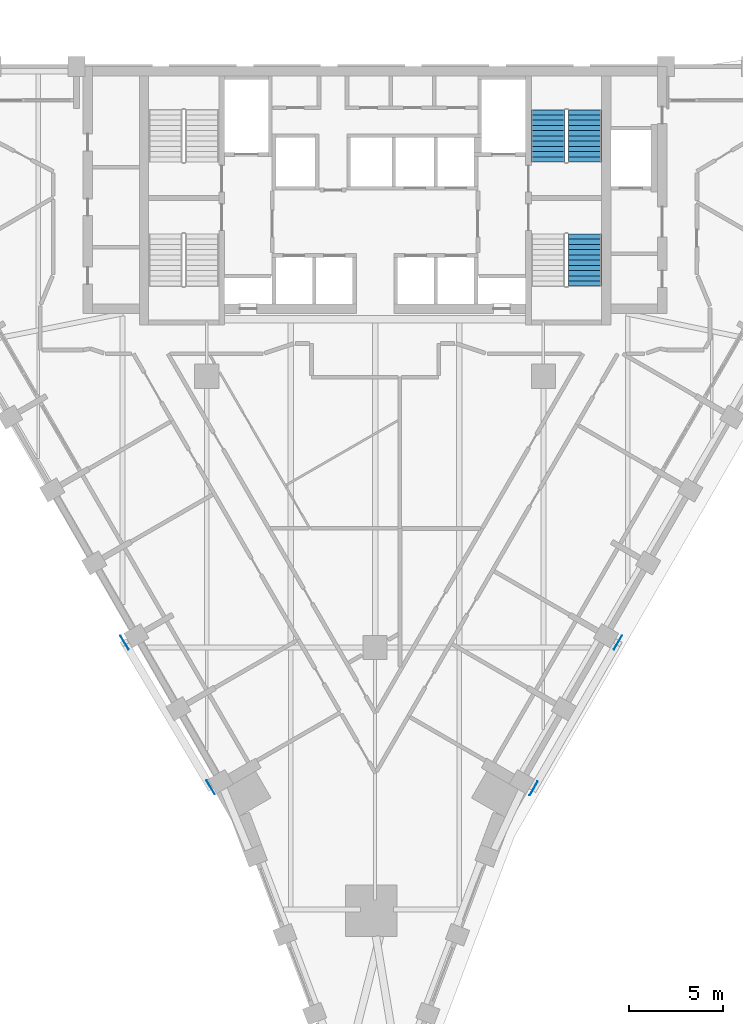
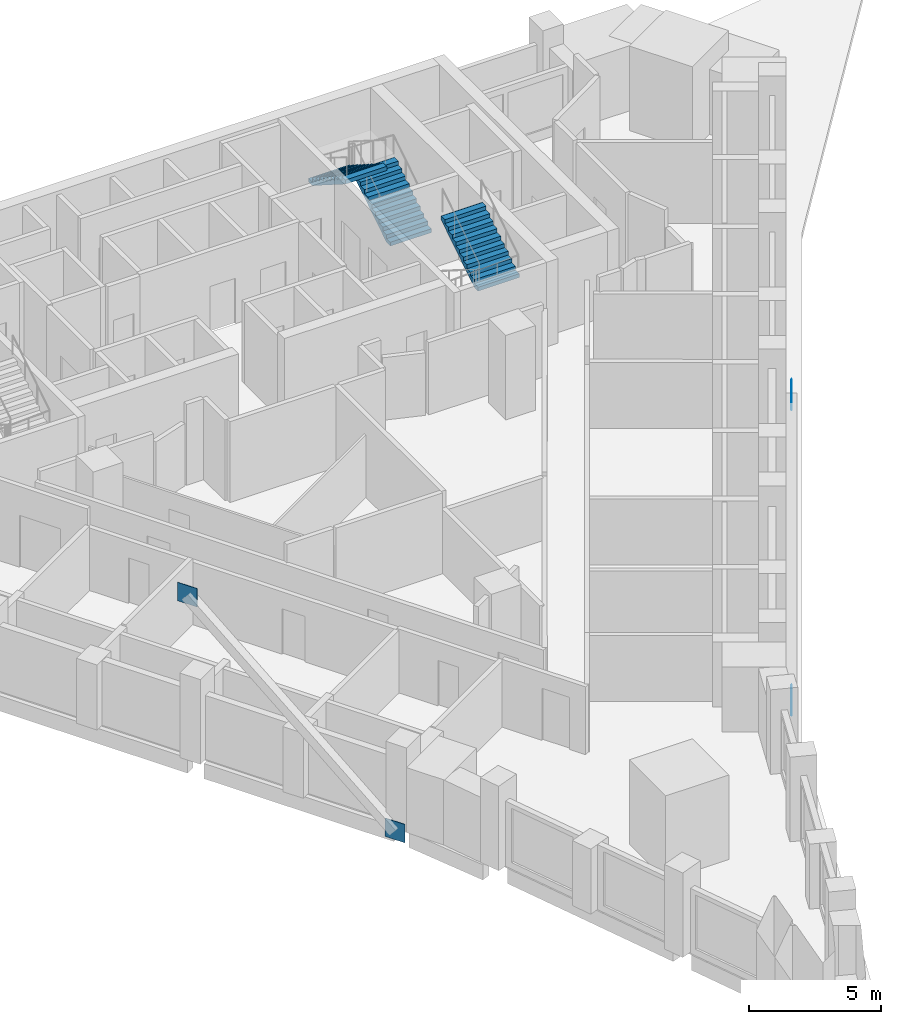
# One storey, part 9 of 10: 4 discrete accessories, 3 stair flights, 2 elements without a shape of their own.
"""IFC4 building model written with IfcOpenShell, lengths in metres."""

import ifcopenshell
import ifcopenshell.guid

model = None  # the IFC model being written
_history = None  # IfcOwnerHistory: only IFC2X3 demands one
_inside = {}  # id of a spatial element -> (the spatial element, [elements in it])
_under = {}  # id of a project, library or spatial element -> (it, [spatial elements below it])
_declared = {}  # id of a project -> (the project, [libraries it declares])
_typed = {}  # id of a type object -> (the type object, [elements of that type])
_made_of = {}  # id of a material, layer set ... -> (it, [elements and type objects made of it])


def new_model(schema):
    """Start an empty IFC model of exactly this schema.

    Asked for "IFC4X3", IfcOpenShell would pick the latest addendum, in which some entities
    have other attributes; the version numbers below select the first issue.
    IFC2X3 requires an IfcOwnerHistory on every rooted entity: one is made here for all.
    """
    global model, _history
    if schema == "IFC4X3":
        model = ifcopenshell.file(schema_version=(4, 3, 0, 0))
    else:
        model = ifcopenshell.file(schema=schema)
    _inside.clear()
    _under.clear()
    _declared.clear()
    _typed.clear()
    _made_of.clear()
    _history = None
    if model.schema == "IFC2X3":
        org = make("IfcOrganization", Name="unknown")
        user = make(
            "IfcPersonAndOrganization",
            ThePerson=make("IfcPerson", FamilyName="unknown"),
            TheOrganization=org,
        )
        app = make(
            "IfcApplication",
            ApplicationDeveloper=org,
            Version="unknown",
            ApplicationFullName="unknown",
            ApplicationIdentifier="unknown",
        )
        _history = make(
            "IfcOwnerHistory",
            OwningUser=user,
            OwningApplication=app,
            ChangeAction="ADDED",
            CreationDate=0,
        )
    return model


def make(cls, **values):
    """One entity of the class cls with the attributes given. An attribute that is None is left unset."""
    return model.create_entity(
        cls, **{name: value for name, value in values.items() if value is not None}
    )


def rooted(cls, **values):
    """An entity with a GlobalId (a new one), such as an element, a storey or a relation."""
    return make(cls, GlobalId=ifcopenshell.guid.new(), OwnerHistory=_history, **values)


def si_unit(unit_type, name, prefix=None):
    """IfcSIUnit, for example si_unit("LENGTHUNIT", "METRE", prefix="MILLI")."""
    return make("IfcSIUnit", UnitType=unit_type, Prefix=prefix, Name=name)


def assignment(units):
    """IfcUnitAssignment: the units of a project."""
    return None if units is None else make("IfcUnitAssignment", Units=units)


def point(xyz):
    """IfcCartesianPoint."""
    return None if xyz is None else make("IfcCartesianPoint", Coordinates=xyz)


def direction(xyz):
    """IfcDirection."""
    return None if xyz is None else make("IfcDirection", DirectionRatios=xyz)


def frame(location, z_axis=None, x_axis=None):
    """IfcAxis2Placement3D, a coordinate frame: its origin and axes. An axis left out is left unset."""
    return make(
        "IfcAxis2Placement3D",
        Location=point(location),
        Axis=direction(z_axis),
        RefDirection=direction(x_axis),
    )


def frame_2d(location, x_axis=None):
    """IfcAxis2Placement2D, a coordinate frame in the plane: its origin and x axis."""
    return make(
        "IfcAxis2Placement2D", Location=point(location), RefDirection=direction(x_axis)
    )


def origin():
    """The frame at (0, 0, 0) with its axes left unset."""
    return frame((0.0, 0.0, 0.0))


def origin_2d():
    """The frame at (0, 0) in the plane with its x axis left unset."""
    return frame_2d((0.0, 0.0))


def place(relative_to, where):
    """IfcLocalPlacement: puts the frame where relative to a parent placement (None: the world)."""
    return make(
        "IfcLocalPlacement", PlacementRelTo=relative_to, RelativePlacement=where
    )


def context(
    kind, dimensions, precision=None, world=None, true_north=None, identifier=None
):
    """IfcGeometricRepresentationContext, for example the 3D "Model" context."""
    return make(
        "IfcGeometricRepresentationContext",
        ContextIdentifier=identifier,
        ContextType=kind,
        CoordinateSpaceDimension=dimensions,
        Precision=precision,
        WorldCoordinateSystem=world,
        TrueNorth=true_north,
    )


def subcontext(parent, identifier, kind, view, scale=None):
    """IfcGeometricRepresentationSubContext, for example "Body" below "Model"."""
    return make(
        "IfcGeometricRepresentationSubContext",
        ContextIdentifier=identifier,
        ContextType=kind,
        ParentContext=parent,
        TargetScale=scale,
        TargetView=view,
    )


def project(units=None, contexts=None):
    """IfcProject with its units and contexts."""
    return rooted(
        "IfcProject",
        Name="project",
        RepresentationContexts=contexts,
        UnitsInContext=assignment(units),
    )


def spatial(cls, under=None, at=None, **own):
    """A site, building, storey or space (cls), placed at a placement, below another one or the project."""
    s = rooted(cls, ObjectPlacement=at, **own)
    if under is not None:
        _under.setdefault(under.id(), (under, []))[1].append(s)
    return s


def profile(cls, at=None, kind="AREA", **sizes):
    """A parametric profile (cls). Its sizes go by their IFC names, for example OverallWidth=200.0."""
    return make(cls, ProfileType=kind, Position=at, **sizes)


def rectangle(**sizes):
    """IfcRectangleProfileDef."""
    return profile("IfcRectangleProfileDef", **sizes)


def extrude(swept, where, along, depth):
    """IfcExtrudedAreaSolid: the profile swept, set in the frame where, extruded along a direction by depth."""
    return make(
        "IfcExtrudedAreaSolid",
        SweptArea=swept,
        Position=where,
        ExtrudedDirection=direction(along),
        Depth=depth,
    )


def faces_of(points, faces, orient=None, outer=None):
    """IfcFace entities. A face is a list of loops; a loop is a list of indices into points, from 0.

    orient and outer hold one flag for each loop. By default every Orientation is true, the
    first loop of a face is its IfcFaceOuterBound and the others are IfcFaceBound.
    """
    made = []
    for i, loops in enumerate(faces):
        bounds = []
        for j, loop in enumerate(loops):
            is_outer = j == 0 if outer is None else outer[i][j]
            bounds.append(
                make(
                    "IfcFaceOuterBound" if is_outer else "IfcFaceBound",
                    Bound=make("IfcPolyLoop", Polygon=[points[k] for k in loop]),
                    Orientation=True if orient is None else orient[i][j],
                )
            )
        made.append(make("IfcFace", Bounds=bounds))
    return made


def faceted_brep(points, faces, orient=None, outer=None, voids=None):
    """IfcFacetedBrep: a solid bounded by flat faces; with voids (closed shells), ...WithVoids."""
    shared = [point(p) for p in points]
    hull = make("IfcClosedShell", CfsFaces=faces_of(shared, faces, orient, outer))
    if voids is None:
        return make("IfcFacetedBrep", Outer=hull)
    return make(
        "IfcFacetedBrepWithVoids",
        Outer=hull,
        Voids=[
            make(cls, CfsFaces=faces_of(shared, fs, o, b)) for cls, fs, o, b in voids
        ],
    )


def shape(context_of_items, identifier, shape_type, items):
    """IfcShapeRepresentation: the items that make up one representation, for example the "Body"."""
    return make(
        "IfcShapeRepresentation",
        ContextOfItems=context_of_items,
        RepresentationIdentifier=identifier,
        RepresentationType=shape_type,
        Items=items,
    )


def source(mapping_origin, context_of_items, identifier, shape_type, items):
    """IfcRepresentationMap: a shape defined once, which mapped items show again and again."""
    return make(
        "IfcRepresentationMap",
        MappingOrigin=mapping_origin,
        MappedRepresentation=shape(context_of_items, identifier, shape_type, items),
    )


def transform(
    local_origin,
    x_axis=None,
    y_axis=None,
    z_axis=None,
    scale=None,
    scale2=None,
    scale3=None,
    uniform=True,
):
    """IfcCartesianTransformationOperator3D, or its non-uniform kind. x_axis, y_axis, z_axis: its Axis1, 2, 3."""
    if uniform:
        return make(
            "IfcCartesianTransformationOperator3D",
            Axis1=direction(x_axis),
            Axis2=direction(y_axis),
            LocalOrigin=point(local_origin),
            Scale=scale,
            Axis3=direction(z_axis),
        )
    return make(
        "IfcCartesianTransformationOperator3DnonUniform",
        Axis1=direction(x_axis),
        Axis2=direction(y_axis),
        LocalOrigin=point(local_origin),
        Scale=scale,
        Axis3=direction(z_axis),
        Scale2=scale2,
        Scale3=scale3,
    )


def mapped(mapping_source, mapping_target):
    """IfcMappedItem: shows the shape of a source again, moved by a transform."""
    return make(
        "IfcMappedItem", MappingSource=mapping_source, MappingTarget=mapping_target
    )


def material(Name=None, Category=None):
    """IfcMaterial."""
    return make("IfcMaterial", Name=Name, Category=Category)


def made_of(thing, what):
    """Note that an element or type object is made of a material, layer set ...; save() writes the relation."""
    if what is not None:
        _made_of.setdefault(what.id(), (what, []))[1].append(thing)
    return thing


def type_object(cls, material=None, **own):
    """A type object (cls), such as IfcWallType, which elements share."""
    return made_of(rooted(cls, **own), material)


def element(
    cls,
    number,
    at=None,
    inside=None,
    cuts=None,
    type_object=None,
    material=None,
    context=None,
    identifier="Body",
    shape_type=None,
    held_by="IfcProductDefinitionShape",
    body=None,
    shapes=None,
    **own,
):
    """One element of the class cls, such as IfcWall. Its Tag is "e" and its number.

    at: its placement. inside: the storey or other place that contains it. cuts: it is an
    opening in that element (IfcRelVoidsElement). A single representation is given by context,
    identifier, shape_type and body (its items); several are given by shapes. held_by: the class
    of the entity that holds the representations. save() writes the other relations.
    """
    e = rooted(cls, Tag="e%d" % number, ObjectPlacement=at, **own)
    if body is not None:
        shapes = [shape(context, identifier, shape_type, body)]
    if shapes is not None:
        e.Representation = make(held_by, Representations=shapes)
    if inside is not None:
        _inside.setdefault(inside.id(), (inside, []))[1].append(e)
    if cuts is not None:
        rooted(
            "IfcRelVoidsElement", RelatingBuildingElement=cuts, RelatedOpeningElement=e
        )
    if type_object is not None:
        _typed.setdefault(type_object.id(), (type_object, []))[1].append(e)
    return made_of(e, material)


def aggregate(whole, parts):
    """IfcRelAggregates: a whole, such as a stair, and the parts it consists of."""
    return rooted("IfcRelAggregates", RelatingObject=whole, RelatedObjects=parts)


def save(model, path):
    """Write the relations noted so far, then the file.

    IfcRelAggregates (storeys below a building ...), IfcRelContainedInSpatialStructure (elements
    in a storey), IfcRelDefinesByType, IfcRelAssociatesMaterial and IfcRelDeclares: one each for
    every whole, place, type object, material and project.
    """
    for whole, parts in _under.values():
        aggregate(whole, parts)
    for where, things in _inside.values():
        rooted(
            "IfcRelContainedInSpatialStructure",
            RelatedElements=things,
            RelatingStructure=where,
        )
    for kind, things in _typed.values():
        rooted("IfcRelDefinesByType", RelatedObjects=things, RelatingType=kind)
    for what, things in _made_of.values():
        rooted("IfcRelAssociatesMaterial", RelatedObjects=things, RelatingMaterial=what)
    for by, libraries in _declared.values():
        rooted("IfcRelDeclares", RelatingContext=by, RelatedDefinitions=libraries)
    model.write(path)


model = new_model("IFC4")

# Units and contexts
model_context = context("Model", 3, precision=1e-05, world=origin(), true_north=direction((0.0, 1.0)))
body_context = subcontext(model_context, "Body", "Model", "MODEL_VIEW")
ifc_project = project(units=[si_unit("LENGTHUNIT", "METRE"), si_unit("AREAUNIT", "SQUARE_METRE"), si_unit("VOLUMEUNIT", "CUBIC_METRE"), si_unit("PLANEANGLEUNIT", "RADIAN"), si_unit("MASSUNIT", "GRAM", prefix="KILO")], contexts=[model_context])

# Site, building, storey
site_placement = place(None, origin())
site = spatial("IfcSite", under=ifc_project, at=site_placement, CompositionType="ELEMENT")
building_placement = place(site_placement, origin())
building = spatial("IfcBuilding", under=site, at=building_placement, Name="Calabash Gate Tower", CompositionType="ELEMENT")
storey_placement = place(building_placement, frame((0.0, 0.0, 144.60009765625)))
storey = spatial("IfcBuildingStorey", under=building, at=storey_placement, Name="L33", CompositionType="ELEMENT", Elevation=144.60009765625)

# Stair, stair flights
ifc_material_1 = material(Name="Concrete C40/50", Category="concrete")
stair_type = type_object("IfcStairType", Name="Exit stair 22 risers of 177.3 mm", PredefinedType="HALF_TURN_STAIR", material=ifc_material_1)
stair_1_placement = place(storey_placement, origin())
stair_1 = element("IfcStair", 1, at=stair_1_placement, inside=storey, type_object=stair_type, Name="L33 Exit stair ST3", PredefinedType="HALF_TURN_STAIR")
ifc_material_2 = material(Name="Concrete C40/50", Category="concrete")
stair_flight_type = type_object("IfcStairFlightType", Name="Exit stair flight SFL", PredefinedType="STRAIGHT", material=ifc_material_2)
shared_shape = source(origin(), body_context, "Body", "Brep", [
    faceted_brep([(-0.0009765625, -0.89990234375, 0.0), (0.279541015625, -0.89990234375, 0.0), (2.791015625, -0.89990234375, 1.59521484375), (-0.0009765625, 0.89990234375, 0.0), (2.791015625, 0.89990234375, 1.59521484375), (0.279541015625, 0.89990234375, 0.0), (2.791015625, -0.89990234375, 1.78466796875), (2.7900390625, -0.89990234375, 1.78466796875), (2.7900390625, 0.89990234375, 1.78466796875), (2.791015625, 0.89990234375, 1.78466796875), (2.7900390625, -0.89990234375, 1.772705078125), (2.7900390625, 0.89990234375, 1.772705078125), (2.510986328125, -0.89990234375, 1.772705078125), (2.510986328125, 0.89990234375, 1.772705078125), (2.510986328125, -0.89990234375, 1.595458984375), (2.510986328125, 0.89990234375, 1.595458984375), (2.23193359375, -0.89990234375, 1.595458984375), (2.23193359375, 0.89990234375, 1.595458984375), (2.23193359375, -0.89990234375, 1.418212890625), (2.23193359375, 0.89990234375, 1.418212890625), (1.952880859375, -0.89990234375, 1.418212890625), (1.952880859375, -0.89990234375, 1.240966796875), (1.952880859375, 0.89990234375, 1.240966796875), (1.952880859375, 0.89990234375, 1.418212890625), (1.674072265625, -0.89990234375, 1.240966796875), (1.674072265625, -0.89990234375, 1.063720703125), (1.674072265625, 0.89990234375, 1.063720703125), (1.674072265625, 0.89990234375, 1.240966796875), (1.39501953125, -0.89990234375, 1.063720703125), (1.39501953125, -0.89990234375, 0.886474609375), (1.39501953125, 0.89990234375, 0.886474609375), (1.39501953125, 0.89990234375, 1.063720703125), (1.115966796875, -0.89990234375, 0.886474609375), (1.115966796875, -0.89990234375, 0.708984375), (1.115966796875, 0.89990234375, 0.708984375), (1.115966796875, 0.89990234375, 0.886474609375), (0.8369140625, -0.89990234375, 0.708984375), (0.8369140625, -0.89990234375, 0.53173828125), (0.8369140625, 0.89990234375, 0.53173828125), (0.8369140625, 0.89990234375, 0.708984375), (0.55810546875, -0.89990234375, 0.53173828125), (0.55810546875, -0.89990234375, 0.3544921875), (0.55810546875, 0.89990234375, 0.3544921875), (0.55810546875, 0.89990234375, 0.53173828125), (0.279052734375, -0.89990234375, 0.3544921875), (0.279052734375, -0.89990234375, 0.17724609375), (0.279052734375, 0.89990234375, 0.17724609375), (0.279052734375, 0.89990234375, 0.3544921875), (-0.0009765625, -0.89990234375, 0.17724609375), (-0.0009765625, 0.89990234375, 0.17724609375), (0.279541015625, -0.360107421875, 0.0), (2.791015625, -0.360107421875, 1.59521484375), (0.279541015625, 0.0, 0.0), (2.791015625, 0.0, 1.59521484375), (0.279541015625, 0.360107421875, 0.0), (2.791015625, 0.360107421875, 1.59521484375), (2.791015625, -0.360107421875, 1.78466796875), (2.791015625, 0.0, 1.78466796875), (2.791015625, 0.360107421875, 1.78466796875), (2.7900390625, -0.360107421875, 1.78466796875), (2.7900390625, 0.0, 1.78466796875), (2.7900390625, 0.360107421875, 1.78466796875), (2.7900390625, -0.360107421875, 1.772705078125), (2.7900390625, 0.0, 1.772705078125), (2.7900390625, 0.360107421875, 1.772705078125), (2.510986328125, -0.360107421875, 1.772705078125), (2.510986328125, 0.0, 1.772705078125), (2.510986328125, 0.360107421875, 1.772705078125), (2.510986328125, -0.360107421875, 1.595458984375), (2.510986328125, 0.0, 1.595458984375), (2.510986328125, 0.360107421875, 1.595458984375), (2.23193359375, -0.360107421875, 1.595458984375), (2.23193359375, 0.0, 1.595458984375), (2.23193359375, 0.360107421875, 1.595458984375), (2.23193359375, -0.360107421875, 1.418212890625), (2.23193359375, 0.0, 1.418212890625), (2.23193359375, 0.360107421875, 1.418212890625), (1.952880859375, -0.360107421875, 1.418212890625), (1.952880859375, 0.0, 1.418212890625), (1.952880859375, 0.360107421875, 1.418212890625), (1.952880859375, -0.360107421875, 1.240966796875), (1.952880859375, 0.0, 1.240966796875), (1.952880859375, 0.360107421875, 1.240966796875), (1.674072265625, -0.360107421875, 1.240966796875), (1.674072265625, 0.0, 1.240966796875), (1.674072265625, 0.360107421875, 1.240966796875), (1.674072265625, -0.360107421875, 1.063720703125), (1.674072265625, 0.0, 1.063720703125), (1.674072265625, 0.360107421875, 1.063720703125), (1.39501953125, -0.360107421875, 1.063720703125), (1.39501953125, 0.0, 1.063720703125), (1.39501953125, 0.360107421875, 1.063720703125), (1.39501953125, -0.360107421875, 0.886474609375), (1.39501953125, 0.0, 0.886474609375), (1.39501953125, 0.360107421875, 0.886474609375), (1.115966796875, -0.360107421875, 0.886474609375), (1.115966796875, 0.0, 0.886474609375), (1.115966796875, 0.360107421875, 0.886474609375), (1.115966796875, -0.360107421875, 0.708984375), (1.115966796875, 0.0, 0.708984375), (1.115966796875, 0.360107421875, 0.708984375), (0.8369140625, -0.360107421875, 0.708984375), (0.8369140625, 0.0, 0.708984375), (0.8369140625, 0.360107421875, 0.708984375), (0.8369140625, -0.360107421875, 0.53173828125), (0.8369140625, 0.0, 0.53173828125), (0.8369140625, 0.360107421875, 0.53173828125), (0.55810546875, -0.360107421875, 0.53173828125), (0.55810546875, 0.0, 0.53173828125), (0.55810546875, 0.360107421875, 0.53173828125), (0.55810546875, -0.360107421875, 0.3544921875), (0.55810546875, 0.0, 0.3544921875), (0.55810546875, 0.360107421875, 0.3544921875), (0.279052734375, -0.360107421875, 0.3544921875), (0.279052734375, 0.0, 0.3544921875), (0.279052734375, 0.360107421875, 0.3544921875), (0.279052734375, -0.360107421875, 0.17724609375), (0.279052734375, 0.0, 0.17724609375), (0.279052734375, 0.360107421875, 0.17724609375), (-0.0009765625, -0.360107421875, 0.17724609375), (-0.0009765625, 0.0, 0.17724609375), (-0.0009765625, 0.360107421875, 0.17724609375), (-0.0009765625, -0.360107421875, 0.0), (-0.0009765625, 0.0, 0.0), (-0.0009765625, 0.360107421875, 0.0)], [[[0, 1, 2]], [[3, 4, 5]], [[2, 6, 7]], [[4, 8, 9]], [[2, 7, 10]], [[4, 11, 8]], [[2, 10, 12]], [[4, 13, 11]], [[2, 12, 14]], [[4, 15, 13]], [[2, 14, 16]], [[4, 17, 15]], [[2, 16, 18]], [[4, 19, 17]], [[18, 20, 21]], [[19, 22, 23]], [[2, 18, 21]], [[4, 22, 19]], [[21, 24, 25]], [[22, 26, 27]], [[2, 21, 25]], [[4, 26, 22]], [[25, 28, 29]], [[26, 30, 31]], [[2, 25, 29]], [[4, 30, 26]], [[29, 32, 33]], [[30, 34, 35]], [[2, 29, 33]], [[4, 34, 30]], [[33, 36, 37]], [[34, 38, 39]], [[2, 33, 37]], [[4, 38, 34]], [[37, 40, 41]], [[38, 42, 43]], [[2, 37, 41]], [[4, 42, 38]], [[41, 44, 45]], [[42, 46, 47]], [[2, 41, 45]], [[4, 46, 42]], [[0, 2, 45]], [[3, 46, 4]], [[45, 48, 0]], [[46, 3, 49]], [[1, 50, 2]], [[50, 51, 2]], [[50, 52, 51]], [[52, 53, 51]], [[52, 54, 55]], [[52, 55, 53]], [[54, 5, 4]], [[54, 4, 55]], [[2, 51, 6]], [[51, 56, 6]], [[51, 53, 56]], [[53, 57, 56]], [[53, 55, 58]], [[53, 58, 57]], [[55, 4, 9]], [[55, 9, 58]], [[6, 56, 7]], [[56, 59, 7]], [[56, 57, 59]], [[57, 60, 59]], [[57, 58, 61]], [[57, 61, 60]], [[58, 9, 8]], [[58, 8, 61]], [[7, 59, 10]], [[59, 62, 10]], [[59, 60, 62]], [[60, 63, 62]], [[60, 61, 64]], [[60, 64, 63]], [[61, 8, 11]], [[61, 11, 64]], [[10, 62, 12]], [[62, 65, 12]], [[62, 63, 65]], [[63, 66, 65]], [[63, 64, 67]], [[63, 67, 66]], [[64, 11, 13]], [[64, 13, 67]], [[12, 65, 14]], [[65, 68, 14]], [[65, 66, 68]], [[66, 69, 68]], [[66, 67, 70]], [[66, 70, 69]], [[67, 13, 15]], [[67, 15, 70]], [[14, 68, 16]], [[68, 71, 16]], [[68, 69, 71]], [[69, 72, 71]], [[69, 70, 73]], [[69, 73, 72]], [[70, 15, 17]], [[70, 17, 73]], [[16, 71, 18]], [[71, 74, 18]], [[71, 72, 74]], [[72, 75, 74]], [[72, 73, 76]], [[72, 76, 75]], [[73, 17, 19]], [[73, 19, 76]], [[18, 74, 20]], [[74, 77, 20]], [[74, 75, 77]], [[75, 78, 77]], [[75, 76, 79]], [[75, 79, 78]], [[76, 19, 23]], [[76, 23, 79]], [[20, 77, 21]], [[77, 80, 21]], [[77, 78, 80]], [[78, 81, 80]], [[78, 79, 82]], [[78, 82, 81]], [[79, 23, 22]], [[79, 22, 82]], [[21, 80, 24]], [[80, 83, 24]], [[80, 81, 83]], [[81, 84, 83]], [[81, 82, 85]], [[81, 85, 84]], [[82, 22, 27]], [[82, 27, 85]], [[24, 83, 25]], [[83, 86, 25]], [[83, 84, 86]], [[84, 87, 86]], [[84, 85, 88]], [[84, 88, 87]], [[85, 27, 26]], [[85, 26, 88]], [[25, 86, 28]], [[86, 89, 28]], [[86, 87, 89]], [[87, 90, 89]], [[87, 88, 91]], [[87, 91, 90]], [[88, 26, 31]], [[88, 31, 91]], [[28, 89, 29]], [[89, 92, 29]], [[89, 90, 92]], [[90, 93, 92]], [[90, 91, 94]], [[90, 94, 93]], [[91, 31, 30]], [[91, 30, 94]], [[29, 92, 32]], [[92, 95, 32]], [[92, 93, 95]], [[93, 96, 95]], [[93, 94, 97]], [[93, 97, 96]], [[94, 30, 35]], [[94, 35, 97]], [[32, 95, 33]], [[95, 98, 33]], [[95, 96, 98]], [[96, 99, 98]], [[96, 97, 100]], [[96, 100, 99]], [[97, 35, 34]], [[97, 34, 100]], [[33, 98, 36]], [[98, 101, 36]], [[98, 99, 101]], [[99, 102, 101]], [[99, 100, 103]], [[99, 103, 102]], [[100, 34, 39]], [[100, 39, 103]], [[36, 101, 37]], [[101, 104, 37]], [[101, 102, 104]], [[102, 105, 104]], [[102, 103, 106]], [[102, 106, 105]], [[103, 39, 38]], [[103, 38, 106]], [[37, 104, 40]], [[104, 107, 40]], [[104, 105, 107]], [[105, 108, 107]], [[105, 106, 109]], [[105, 109, 108]], [[106, 38, 43]], [[106, 43, 109]], [[40, 107, 41]], [[107, 110, 41]], [[107, 108, 110]], [[108, 111, 110]], [[108, 109, 112]], [[108, 112, 111]], [[109, 43, 42]], [[109, 42, 112]], [[41, 110, 44]], [[110, 113, 44]], [[110, 111, 113]], [[111, 114, 113]], [[111, 112, 115]], [[111, 115, 114]], [[112, 42, 47]], [[112, 47, 115]], [[44, 113, 45]], [[113, 116, 45]], [[113, 114, 116]], [[114, 117, 116]], [[114, 115, 118]], [[114, 118, 117]], [[115, 47, 46]], [[115, 46, 118]], [[45, 116, 48]], [[116, 119, 48]], [[116, 117, 119]], [[117, 120, 119]], [[117, 118, 121]], [[117, 121, 120]], [[118, 46, 49]], [[118, 49, 121]], [[48, 119, 0]], [[119, 122, 0]], [[119, 120, 122]], [[120, 123, 122]], [[120, 121, 124]], [[120, 124, 123]], [[121, 49, 3]], [[121, 3, 124]], [[0, 122, 1]], [[122, 50, 1]], [[122, 123, 50]], [[123, 52, 50]], [[123, 124, 54]], [[123, 54, 52]], [[124, 3, 5]], [[124, 5, 54]]]),
])
stair_flight_1_placement = place(storey_placement, frame((11.199951171875, 13.95263671875, 0.0), z_axis=(0.0, 0.0, 1.0), x_axis=(0.0, 1.0, 0.0)))
stair_flight_1 = element("IfcStairFlight", 2, at=stair_flight_1_placement, type_object=stair_flight_type, Name="ST3 flight 1", NumberOfRisers=11, NumberOfTreads=10, PredefinedType="STRAIGHT", RiserHeight=0.177272727, TreadLength=0.279, context=body_context, shape_type="MappedRepresentation", body=[
    mapped(shared_shape, transform((0.0, 0.0, 0.0), scale=1.0)),
])
stair_flight_2_placement = place(storey_placement, frame((9.25, 16.74267578125, 1.949951171875), z_axis=(0.0, 0.0, 1.0), x_axis=(0.0, -1.0, 0.0)))
stair_flight_2 = element("IfcStairFlight", 3, at=stair_flight_2_placement, type_object=stair_flight_type, Name="ST3 flight 2", NumberOfRisers=11, NumberOfTreads=10, PredefinedType="STRAIGHT", RiserHeight=0.177272727, TreadLength=0.279, context=body_context, shape_type="MappedRepresentation", body=[
    mapped(shared_shape, transform((0.0, 0.0, 0.0), scale=1.0)),
])
aggregate(stair_1, [stair_flight_1, stair_flight_2])

# Stair, stair flight
stair_2_placement = place(storey_placement, origin())
stair_2 = element("IfcStair", 4, at=stair_2_placement, inside=storey, type_object=stair_type, Name="L33 Exit stair ST4", PredefinedType="HALF_TURN_STAIR")
stair_flight_3_placement = place(storey_placement, frame((11.199951171875, 7.3125, 1.949951171875), z_axis=(0.0, 0.0, 1.0), x_axis=(0.0, 1.0, 0.0)))
stair_flight_3 = element("IfcStairFlight", 5, at=stair_flight_3_placement, type_object=stair_flight_type, Name="ST4 flight 2", NumberOfRisers=11, NumberOfTreads=10, PredefinedType="STRAIGHT", RiserHeight=0.177272727, TreadLength=0.279, context=body_context, shape_type="MappedRepresentation", body=[
    mapped(shared_shape, transform((0.0, 0.0, 0.0), scale=1.0)),
])
aggregate(stair_2, [stair_flight_3])

# Discrete accessories
ifc_material_3 = material(Name="Steel ASTM A572 Gr50", Category="steel")
discrete_accessory_type = type_object("IfcDiscreteAccessoryType", Name="Connection plate 25", PredefinedType="BRACKET", material=ifc_material_3)
for number, where, z_axis, x_axis, name in (
    (6, (-8.782958984375, -19.471923828125, -0.42529296875), (0.0, 0.0, 1.0), (-0.51134178854, 0.859377434712, 0.0), "Connection plate Mega-brace SW Z3 20 start"),
    (7, (-13.385498046875, -11.73681640625, 7.37451171875), (0.0, 0.0, 1.0), (-0.51134178854, 0.859377434712, 0.0), "Connection plate Mega-brace SW Z3 20 end"),
    (8, (8.47607421875, -19.531005859375, -0.42529296875), (0.0, 0.0, 1.0), (0.499999984885, 0.866025412511, 0.0), "Connection plate Mega-brace SE Z3 24 start"),
    (9, (12.97607421875, -11.73681640625, 7.37451171875), (0.0, 0.0, 1.0), (0.499999984885, 0.866025412511, 0.0), "Connection plate Mega-brace SE Z3 24 end"),
):
    element("IfcDiscreteAccessory", number, at=place(storey_placement, frame(where, z_axis=z_axis, x_axis=x_axis)), inside=storey, type_object=discrete_accessory_type, Name=name, PredefinedType="BRACKET", context=body_context, shape_type="SweptSolid", body=[
        extrude(rectangle(XDim=0.850341796875, YDim=0.02490234375, at=origin_2d()), origin(), (0.0, 0.0, 1.0), 0.850341796875),
    ])

save(model, "model.ifc")
